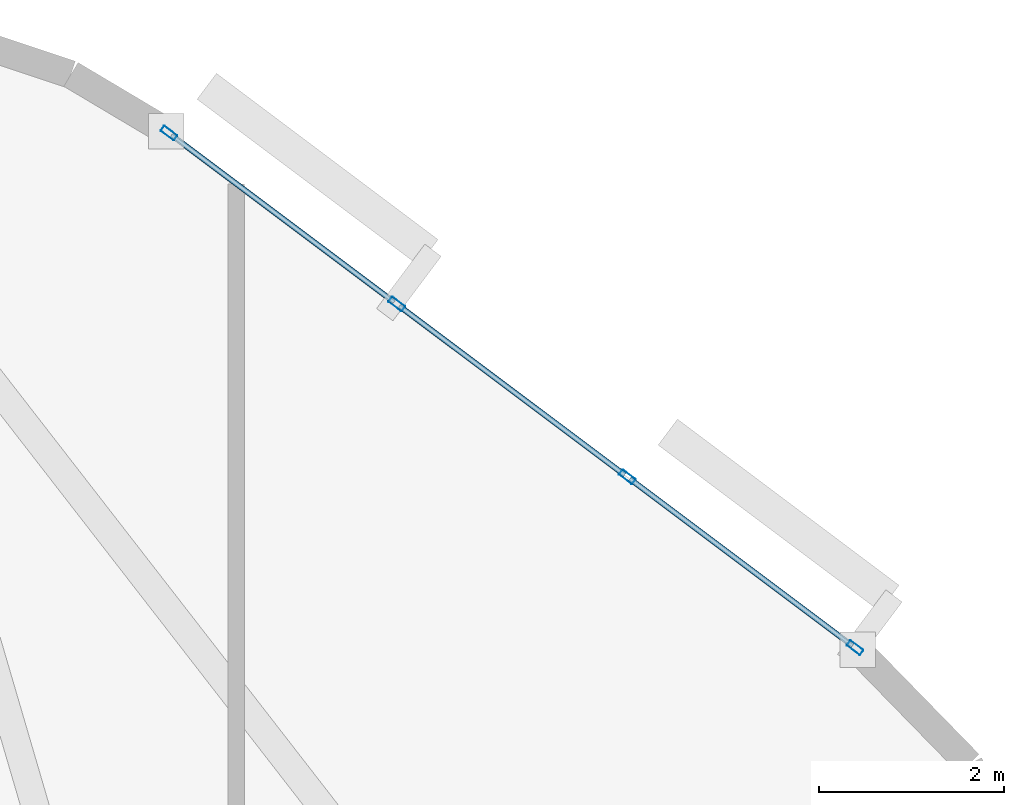
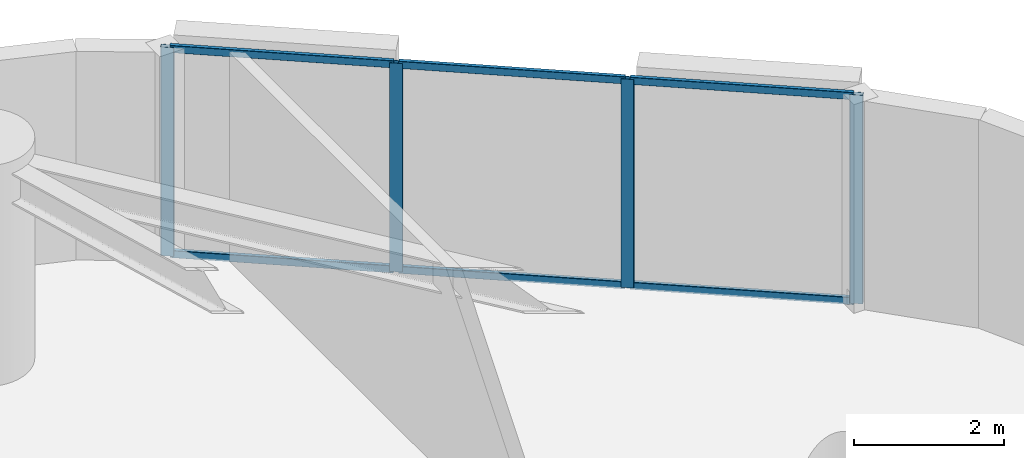
# One storey, part 8 of 16: 10 members, 1 element without a shape of its own.
"""IFC4 building model written with IfcOpenShell, lengths in metres."""

from ifc_helpers import new_model, si_unit, direction, frame, origin, origin_2d, place, context, subcontext, project, spatial, hollow_rectangle, extrude, material, layer, layer_set, material_profile, profile_set, type_object, element, aggregate, save


model = new_model("IFC4")

# Units and contexts
model_context = context("Model", 3, precision=1e-05, world=origin(), true_north=direction((0.0, 1.0)))
body_context = subcontext(model_context, "Body", "Model", "MODEL_VIEW")
ifc_project = project(units=[si_unit("LENGTHUNIT", "METRE"), si_unit("AREAUNIT", "SQUARE_METRE"), si_unit("VOLUMEUNIT", "CUBIC_METRE"), si_unit("PLANEANGLEUNIT", "RADIAN"), si_unit("MASSUNIT", "GRAM", prefix="KILO")], contexts=[model_context])

# Site, building, storey
site_placement = place(None, origin())
site = spatial("IfcSite", under=ifc_project, at=site_placement, CompositionType="ELEMENT")
building_placement = place(site_placement, origin())
building = spatial("IfcBuilding", under=site, at=building_placement, Name="An Khanh Terracotta Commons", CompositionType="ELEMENT")
storey_placement = place(building_placement, frame((0.0, 0.0, 107.89990234375)))
storey = spatial("IfcBuildingStorey", under=building, at=storey_placement, Name="L28", CompositionType="ELEMENT", Elevation=107.89990234375)

# Curtain wall, members
ifc_material = material(Name="Anodised Aluminium 6063-T6", Category="aluminium")
ifc_layer = layer(ifc_material, 0.199951171875, Name="Anodised Aluminium 6063-T6")
ifc_layer_set = layer_set([ifc_layer], Name="Anodised Aluminium 6063-T6")
curtain_wall_type = type_object("IfcCurtainWallType", Name="CW-SYS-02", PredefinedType="USERDEFINED", material=ifc_layer_set)
curtain_wall_placement = place(storey_placement, origin())
curtain_wall = element("IfcCurtainWall", 1, at=curtain_wall_placement, inside=storey, type_object=curtain_wall_type, Name="L28 CW-02 Unitised Curtain Wall CW-L28-16", ObjectType="UNITISED CURTAIN WALL", PredefinedType="USERDEFINED")
ifc_material_profile_1 = material_profile(ifc_material, hollow_rectangle(XDim=0.070068359375, YDim=0.179931640625, WallThickness=0.00390625, InnerFilletRadius=0.00390625, OuterFilletRadius=0.008056640625, at=origin_2d()), Name="RHS180x70x4")
ifc_profile_set_1 = profile_set([ifc_material_profile_1], Name="Anodised Aluminium 6063-T6")
member_type_1 = type_object("IfcMemberType", Name="CWM-RHS180x70x4", PredefinedType="MULLION", material=ifc_profile_set_1)
member_1_placement = place(storey_placement, frame((55.132080078125, 37.10107421875, 0.0), z_axis=(0.0, 0.0, 1.0), x_axis=(-0.599982857492, -0.800012856594, 0.0)))
member_1 = element("IfcMember", 2, at=member_1_placement, type_object=member_type_1, Name="CW-02 mullion 1", PredefinedType="MULLION", context=body_context, shape_type="SweptSolid", body=[
    extrude(hollow_rectangle(XDim=0.070068359375, YDim=0.179931640625, WallThickness=0.00390625, InnerFilletRadius=0.00390625, OuterFilletRadius=0.008056640625, at=origin_2d()), origin(), (0.0, 0.0, 1.0), 3.400146484375),
])
member_2_placement = place(storey_placement, frame((52.6708984375, 38.94677734375, 0.0), z_axis=(0.0, 0.0, 1.0), x_axis=(-0.599982857492, -0.800012856594, 0.0)))
member_2 = element("IfcMember", 3, at=member_2_placement, type_object=member_type_1, Name="CW-02 mullion 2", PredefinedType="MULLION", context=body_context, shape_type="SweptSolid", body=[
    extrude(hollow_rectangle(XDim=0.070068359375, YDim=0.179931640625, WallThickness=0.00390625, InnerFilletRadius=0.00390625, OuterFilletRadius=0.008056640625, at=origin_2d()), origin(), (0.0, 0.0, 1.0), 3.400146484375),
])
member_3_placement = place(storey_placement, frame((50.181884765625, 40.813232421875, 0.0), z_axis=(0.0, 0.0, 1.0), x_axis=(-0.599982857492, -0.800012856594, 0.0)))
member_3 = element("IfcMember", 4, at=member_3_placement, type_object=member_type_1, Name="CW-02 mullion 3", PredefinedType="MULLION", context=body_context, shape_type="SweptSolid", body=[
    extrude(hollow_rectangle(XDim=0.070068359375, YDim=0.179931640625, WallThickness=0.00390625, InnerFilletRadius=0.00390625, OuterFilletRadius=0.008056640625, at=origin_2d()), origin(), (0.0, 0.0, 1.0), 3.400146484375),
])
member_4_placement = place(storey_placement, frame((47.720947265625, 42.658935546875, 0.0), z_axis=(0.0, 0.0, 1.0), x_axis=(-0.599982857492, -0.800012856594, 0.0)))
member_4 = element("IfcMember", 5, at=member_4_placement, type_object=member_type_1, Name="CW-02 mullion 4", PredefinedType="MULLION", context=body_context, shape_type="SweptSolid", body=[
    extrude(hollow_rectangle(XDim=0.070068359375, YDim=0.179931640625, WallThickness=0.00390625, InnerFilletRadius=0.00390625, OuterFilletRadius=0.008056640625, at=origin_2d()), origin(), (0.0, 0.0, 1.0), 3.400146484375),
])
ifc_material_profile_2 = material_profile(ifc_material, hollow_rectangle(XDim=0.06005859375, YDim=0.1201171875, WallThickness=0.003662109375, InnerFilletRadius=0.003662109375, OuterFilletRadius=0.007080078125, at=origin_2d()), Name="RHS120x60x3.6")
ifc_profile_set_2 = profile_set([ifc_material_profile_2], Name="Anodised Aluminium 6063-T6")
member_type_2 = type_object("IfcMemberType", Name="CWT-RHS120x60x3.6", PredefinedType="USERDEFINED", material=ifc_profile_set_2)
member_5_placement = place(storey_placement, frame((55.10400390625, 37.1220703125, 0.030029296875), z_axis=(-0.800009745217, 0.599987006158, 0.0), x_axis=(-0.599987006158, -0.800009745217, 0.0)))
member_5 = element("IfcMember", 6, at=member_5_placement, type_object=member_type_2, Name="CW-02 transom 1.1", ObjectType="TRANSOM", PredefinedType="USERDEFINED", context=body_context, shape_type="SweptSolid", body=[
    extrude(hollow_rectangle(XDim=0.06005859375, YDim=0.1201171875, WallThickness=0.003662109375, InnerFilletRadius=0.003662109375, OuterFilletRadius=0.007080078125, at=origin_2d()), origin(), (0.0, 0.0, 1.0), 3.00634765625),
])
member_6_placement = place(storey_placement, frame((55.10400390625, 37.1220703125, 3.3701171875), z_axis=(-0.800009745217, 0.599987006158, 0.0), x_axis=(-0.599987006158, -0.800009745217, 0.0)))
member_6 = element("IfcMember", 7, at=member_6_placement, type_object=member_type_2, Name="CW-02 transom 1.2", ObjectType="TRANSOM", PredefinedType="USERDEFINED", context=body_context, shape_type="SweptSolid", body=[
    extrude(hollow_rectangle(XDim=0.06005859375, YDim=0.1201171875, WallThickness=0.003662109375, InnerFilletRadius=0.003662109375, OuterFilletRadius=0.007080078125, at=origin_2d()), origin(), (0.0, 0.0, 1.0), 3.00634765625),
])
member_7_placement = place(storey_placement, frame((52.64306640625, 38.9677734375, 0.030029296875), z_axis=(-0.800057796972, 0.599922929638, 0.0), x_axis=(-0.599922929638, -0.800057796972, 0.0)))
member_7 = element("IfcMember", 8, at=member_7_placement, type_object=member_type_2, Name="CW-02 transom 2.1", ObjectType="TRANSOM", PredefinedType="USERDEFINED", context=body_context, shape_type="SweptSolid", body=[
    extrude(hollow_rectangle(XDim=0.06005859375, YDim=0.1201171875, WallThickness=0.003662109375, InnerFilletRadius=0.003662109375, OuterFilletRadius=0.007080078125, at=origin_2d()), origin(), (0.0, 0.0, 1.0), 3.041259765625),
])
member_8_placement = place(storey_placement, frame((52.64306640625, 38.9677734375, 3.3701171875), z_axis=(-0.800057796972, 0.599922929638, 0.0), x_axis=(-0.599922929638, -0.800057796972, 0.0)))
member_8 = element("IfcMember", 9, at=member_8_placement, type_object=member_type_2, Name="CW-02 transom 2.2", ObjectType="TRANSOM", PredefinedType="USERDEFINED", context=body_context, shape_type="SweptSolid", body=[
    extrude(hollow_rectangle(XDim=0.06005859375, YDim=0.1201171875, WallThickness=0.003662109375, InnerFilletRadius=0.003662109375, OuterFilletRadius=0.007080078125, at=origin_2d()), origin(), (0.0, 0.0, 1.0), 3.041259765625),
])
member_9_placement = place(storey_placement, frame((50.154052734375, 40.834228515625, 0.030029296875), z_axis=(-0.800009745217, 0.599987006158, 0.0), x_axis=(-0.599987006158, -0.800009745217, 0.0)))
member_9 = element("IfcMember", 10, at=member_9_placement, type_object=member_type_2, Name="CW-02 transom 3.1", ObjectType="TRANSOM", PredefinedType="USERDEFINED", context=body_context, shape_type="SweptSolid", body=[
    extrude(hollow_rectangle(XDim=0.06005859375, YDim=0.1201171875, WallThickness=0.003662109375, InnerFilletRadius=0.003662109375, OuterFilletRadius=0.007080078125, at=origin_2d()), origin(), (0.0, 0.0, 1.0), 3.00634765625),
])
member_10_placement = place(storey_placement, frame((50.154052734375, 40.834228515625, 3.3701171875), z_axis=(-0.800009745217, 0.599987006158, 0.0), x_axis=(-0.599987006158, -0.800009745217, 0.0)))
member_10 = element("IfcMember", 11, at=member_10_placement, type_object=member_type_2, Name="CW-02 transom 3.2", ObjectType="TRANSOM", PredefinedType="USERDEFINED", context=body_context, shape_type="SweptSolid", body=[
    extrude(hollow_rectangle(XDim=0.06005859375, YDim=0.1201171875, WallThickness=0.003662109375, InnerFilletRadius=0.003662109375, OuterFilletRadius=0.007080078125, at=origin_2d()), origin(), (0.0, 0.0, 1.0), 3.00634765625),
])
aggregate(curtain_wall, [member_1, member_2, member_3, member_4, member_5, member_6, member_7, member_8, member_9, member_10])

save(model, "model.ifc")
